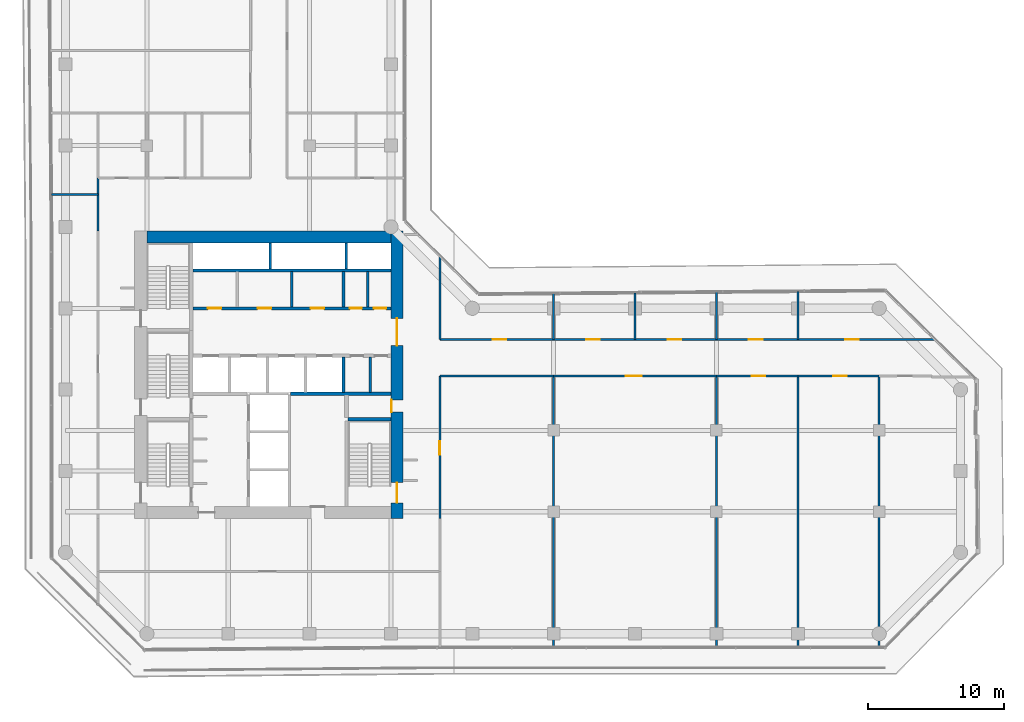
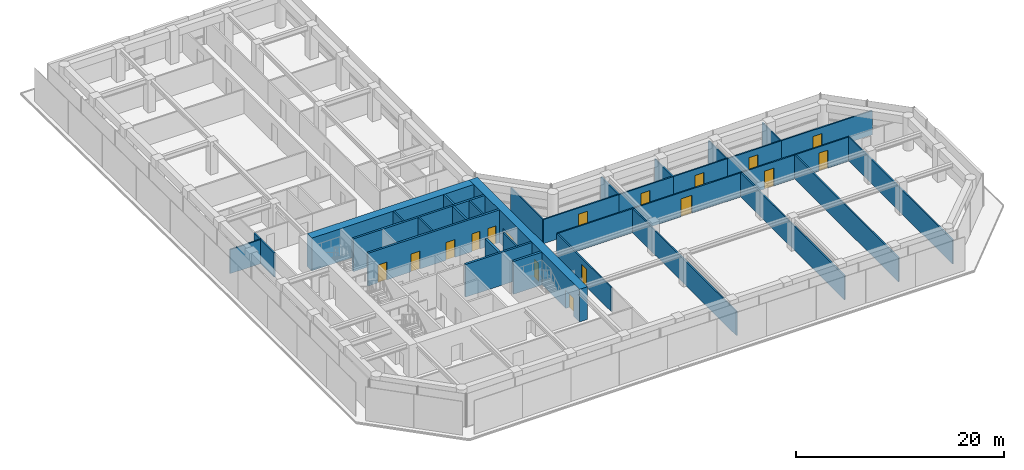
# One storey, part 23 of 28: 34 walls, 17 doors, 17 openings.
"""IFC4 building model written with IfcOpenShell, lengths in metres."""

from ifc_helpers import new_model, si_unit, direction, frame, frame_2d, origin, place, context, subcontext, project, spatial, rectangle, extrude, material, layer, layer_set, type_object, element, fill, save


model = new_model("IFC4")

# Units and contexts
model_context = context("Model", 3, precision=1e-05, world=origin(), true_north=direction((0.0, 1.0)))
body_context = subcontext(model_context, "Body", "Model", "MODEL_VIEW")
ifc_project = project(units=[si_unit("LENGTHUNIT", "METRE"), si_unit("AREAUNIT", "SQUARE_METRE"), si_unit("VOLUMEUNIT", "CUBIC_METRE"), si_unit("PLANEANGLEUNIT", "RADIAN"), si_unit("MASSUNIT", "GRAM", prefix="KILO")], contexts=[model_context])

# Site, building, storey
site_placement = place(None, origin())
site = spatial("IfcSite", under=ifc_project, at=site_placement, CompositionType="ELEMENT")
building_placement = place(site_placement, origin())
building = spatial("IfcBuilding", under=site, at=building_placement, Name="Welwitschia Terrace Campus", CompositionType="ELEMENT")
storey_placement = place(building_placement, frame((0.0, 0.0, 54.199951171875)))
storey = spatial("IfcBuildingStorey", under=building, at=storey_placement, Name="L12", CompositionType="ELEMENT", Elevation=54.199951171875)

# Walls
ifc_material_1 = material(Name="Concrete C32/40", Category="concrete")
ifc_layer_1 = layer(ifc_material_1, 0.175048828125)
ifc_layer_set_1 = layer_set([ifc_layer_1], Name="Concrete C32/40")
wall_type_1 = type_object("IfcWallType", Name="Core partition 175 Concrete C32/40", PredefinedType="PARTITIONING", material=ifc_layer_set_1)
for number, where, z_axis, x_axis, name in (
    (1, (16.675048828125, 20.10009765625, 0.0), (0.0, 0.0, 1.0), (0.0, 1.0, 0.0), "Core partition"),
    (2, (22.300048828125, 20.10009765625, 0.0), (0.0, 0.0, 1.0), (0.0, 1.0, 0.0), "Core partition"),
    (3, (22.469970703125, 13.800048828125, 0.0), (0.0, 0.0, 1.0), (0.0, 1.0, 0.0), "Core partition"),
):
    element("IfcWall", number, at=place(storey_placement, frame(where, z_axis=z_axis, x_axis=x_axis)), inside=storey, type_object=wall_type_1, Name=name, PredefinedType="PARTITIONING", context=body_context, shape_type="SweptSolid", body=[
        extrude(rectangle(XDim=2.599853515625, YDim=0.175048828125, at=frame_2d((1.2998046875, 0.0))), origin(), (0.0, 0.0, 1.0), 3.85009765625),
    ])
ifc_material_2 = material(Name="Concrete C32/40", Category="concrete")
ifc_layer_2 = layer(ifc_material_2, 0.22509765625)
ifc_layer_set_2 = layer_set([ifc_layer_2], Name="Concrete C32/40")
wall_type_2 = type_object("IfcWallType", Name="Core partition 225 Concrete C32/40", PredefinedType="PARTITIONING", material=ifc_layer_set_2)
wall_1_placement = place(storey_placement, frame((16.60009765625, 13.699951171875, 0.0), z_axis=(0.0, 0.0, 1.0), x_axis=(1.0, 0.0, 0.0)))
element("IfcWall", 4, at=wall_1_placement, inside=storey, type_object=wall_type_2, Name="Shaft wall", PredefinedType="PARTITIONING", context=body_context, shape_type="SweptSolid", body=[
    extrude(rectangle(XDim=7.39990234375, YDim=0.22509765625, at=frame_2d((3.699951171875, 0.0))), origin(), (0.0, 0.0, 1.0), 3.85009765625),
])

# Wall, openings, doors
wall_2_placement = place(storey_placement, frame((24.0, 20.0, 0.0), z_axis=(0.0, 0.0, 1.0), x_axis=(-1.0, 0.0, 0.0)))
wall_2 = element("IfcWall", 5, at=wall_2_placement, inside=storey, type_object=wall_type_2, Name="Core partition", PredefinedType="PARTITIONING", context=body_context, shape_type="SweptSolid", body=[
    extrude(rectangle(XDim=14.60009765625, YDim=0.22509765625, at=frame_2d((7.300048828125, 0.0))), origin(), (0.0, 0.0, 1.0), 3.85009765625),
])
opening_1_placement = place(wall_2_placement, frame((12.5, 0.0, 0.0)))
opening_1 = element("IfcOpeningElement", 6, at=opening_1_placement, cuts=wall_2, Name="Opening DR10", PredefinedType="OPENING", context=body_context, shape_type="SweptSolid", body=[
    extrude(rectangle(XDim=1.0, YDim=2.10009765625, at=frame_2d((0.5, 1.050048828125))), frame((0.0, 0.12255859375, 0.0), z_axis=(0.0, -1.0, 0.0), x_axis=(1.0, 0.0, 0.0)), (0.0, 0.0, 1.0), 0.2451171875),
])
opening_2_placement = place(wall_2_placement, frame((8.824951171875, 0.0, 0.0)))
opening_2 = element("IfcOpeningElement", 7, at=opening_2_placement, cuts=wall_2, Name="Opening DR10", PredefinedType="OPENING", context=body_context, shape_type="SweptSolid", body=[
    extrude(rectangle(XDim=1.0, YDim=2.10009765625, at=frame_2d((0.5, 1.050048828125))), frame((0.0, 0.12255859375, 0.0), z_axis=(0.0, -1.0, 0.0), x_axis=(1.0, 0.0, 0.0)), (0.0, 0.0, 1.0), 0.2451171875),
])
opening_3_placement = place(wall_2_placement, frame((4.925048828125, 0.0, 0.0)))
opening_3 = element("IfcOpeningElement", 8, at=opening_3_placement, cuts=wall_2, Name="Opening DR10", PredefinedType="OPENING", context=body_context, shape_type="SweptSolid", body=[
    extrude(rectangle(XDim=1.0, YDim=2.10009765625, at=frame_2d((0.5, 1.050048828125))), frame((0.0, 0.12255859375, 0.0), z_axis=(0.0, -1.0, 0.0), x_axis=(1.0, 0.0, 0.0)), (0.0, 0.0, 1.0), 0.2451171875),
])
opening_4_placement = place(wall_2_placement, frame((2.137451171875, 0.0, 0.0)))
opening_4 = element("IfcOpeningElement", 9, at=opening_4_placement, cuts=wall_2, Name="Opening DR09", PredefinedType="OPENING", context=body_context, shape_type="SweptSolid", body=[
    extrude(rectangle(XDim=0.89990234375, YDim=2.10009765625, at=frame_2d((0.449951171875, 1.050048828125))), frame((0.0, 0.12255859375, 0.0), z_axis=(0.0, -1.0, 0.0), x_axis=(1.0, 0.0, 0.0)), (0.0, 0.0, 1.0), 0.2451171875),
])
opening_5_placement = place(wall_2_placement, frame((0.362548828125, 0.0, 0.0)))
opening_5 = element("IfcOpeningElement", 10, at=opening_5_placement, cuts=wall_2, Name="Opening DR09", PredefinedType="OPENING", context=body_context, shape_type="SweptSolid", body=[
    extrude(rectangle(XDim=0.89990234375, YDim=2.10009765625, at=frame_2d((0.449951171875, 1.050048828125))), frame((0.0, 0.12255859375, 0.0), z_axis=(0.0, -1.0, 0.0), x_axis=(1.0, 0.0, 0.0)), (0.0, 0.0, 1.0), 0.2451171875),
])
ifc_material_3 = material(Name="Steel S275", Category="steel")
door_type_1 = type_object("IfcDoorType", Name="Core door DR09", OperationType="SINGLE_SWING_LEFT", PredefinedType="DOOR", material=ifc_material_3)
door_1_placement = place(opening_4_placement, origin())
door_1 = element("IfcDoor", 11, at=door_1_placement, inside=storey, type_object=door_type_1, Name="Door EH1-D", OperationType="SINGLE_SWING_LEFT", OverallHeight=2.10009765625, OverallWidth=0.89990234375, PredefinedType="DOOR", context=body_context, shape_type="SweptSolid", body=[
    extrude(rectangle(XDim=0.89990234375, YDim=2.10009765625, at=frame_2d((0.449951171875, 1.050048828125))), frame((0.0, 0.02490234375, 0.0), z_axis=(0.0, -1.0, 0.0), x_axis=(1.0, 0.0, 0.0)), (0.0, 0.0, 1.0), 0.050048828125),
])
fill(opening_4, door_1)
door_2_placement = place(opening_5_placement, origin())
door_2 = element("IfcDoor", 12, at=door_2_placement, inside=storey, type_object=door_type_1, Name="Door EH2-D", OperationType="SINGLE_SWING_LEFT", OverallHeight=2.10009765625, OverallWidth=0.89990234375, PredefinedType="DOOR", context=body_context, shape_type="SweptSolid", body=[
    extrude(rectangle(XDim=0.89990234375, YDim=2.10009765625, at=frame_2d((0.449951171875, 1.050048828125))), frame((0.0, 0.02490234375, 0.0), z_axis=(0.0, -1.0, 0.0), x_axis=(1.0, 0.0, 0.0)), (0.0, 0.0, 1.0), 0.050048828125),
])
fill(opening_5, door_2)
ifc_material_4 = material(Name="Steel S275", Category="steel")
door_type_2 = type_object("IfcDoorType", Name="Core door DR10", OperationType="SINGLE_SWING_LEFT", PredefinedType="DOOR", material=ifc_material_4)
door_3_placement = place(opening_1_placement, origin())
door_3 = element("IfcDoor", 13, at=door_3_placement, inside=storey, type_object=door_type_2, Name="Door BAYH1-D", OperationType="SINGLE_SWING_RIGHT", OverallHeight=2.10009765625, OverallWidth=1.0, PredefinedType="DOOR", context=body_context, shape_type="SweptSolid", body=[
    extrude(rectangle(XDim=1.0, YDim=2.10009765625, at=frame_2d((0.5, 1.050048828125))), frame((0.0, 0.02490234375, 0.0), z_axis=(0.0, -1.0, 0.0), x_axis=(1.0, 0.0, 0.0)), (0.0, 0.0, 1.0), 0.050048828125),
])
fill(opening_1, door_3)
door_4_placement = place(opening_2_placement, origin())
door_4 = element("IfcDoor", 14, at=door_4_placement, inside=storey, type_object=door_type_2, Name="Door BAYH2-D", OperationType="SINGLE_SWING_RIGHT", OverallHeight=2.10009765625, OverallWidth=1.0, PredefinedType="DOOR", context=body_context, shape_type="SweptSolid", body=[
    extrude(rectangle(XDim=1.0, YDim=2.10009765625, at=frame_2d((0.5, 1.050048828125))), frame((0.0, 0.02490234375, 0.0), z_axis=(0.0, -1.0, 0.0), x_axis=(1.0, 0.0, 0.0)), (0.0, 0.0, 1.0), 0.050048828125),
])
fill(opening_2, door_4)
door_5_placement = place(opening_3_placement, origin())
door_5 = element("IfcDoor", 15, at=door_5_placement, inside=storey, type_object=door_type_2, Name="Door BAYH3-D", OperationType="SINGLE_SWING_LEFT", OverallHeight=2.10009765625, OverallWidth=1.0, PredefinedType="DOOR", context=body_context, shape_type="SweptSolid", body=[
    extrude(rectangle(XDim=1.0, YDim=2.10009765625, at=frame_2d((0.5, 1.050048828125))), frame((0.0, 0.02490234375, 0.0), z_axis=(0.0, -1.0, 0.0), x_axis=(1.0, 0.0, 0.0)), (0.0, 0.0, 1.0), 0.050048828125),
])
fill(opening_3, door_5)

# Walls
wall_3_placement = place(storey_placement, frame((9.39990234375, 22.800048828125, 0.0), z_axis=(0.0, 0.0, 1.0), x_axis=(1.0, 0.0, 0.0)))
element("IfcWall", 16, at=wall_3_placement, inside=storey, type_object=wall_type_2, Name="Shaft wall", PredefinedType="PARTITIONING", context=body_context, shape_type="SweptSolid", body=[
    extrude(rectangle(XDim=14.60009765625, YDim=0.22509765625, at=frame_2d((7.300048828125, 0.0))), origin(), (0.0, 0.0, 1.0), 3.85009765625),
])
for number, where, z_axis, x_axis, name in (
    (17, (20.5, 13.800048828125, 0.0), (0.0, 0.0, 1.0), (0.0, 1.0, 0.0), "Shaft wall"),
    (18, (20.5, 20.10009765625, 0.0), (0.0, 0.0, 1.0), (0.0, 1.0, 0.0), "Core partition"),
):
    element("IfcWall", number, at=place(storey_placement, frame(where, z_axis=z_axis, x_axis=x_axis)), inside=storey, type_object=wall_type_2, Name=name, PredefinedType="PARTITIONING", context=body_context, shape_type="SweptSolid", body=[
        extrude(rectangle(XDim=2.599853515625, YDim=0.22509765625, at=frame_2d((1.2998046875, 0.0))), origin(), (0.0, 0.0, 1.0), 3.85009765625),
    ])
ifc_material_5 = material(Name="Concrete C50/60", Category="concrete")
ifc_layer_3 = layer(ifc_material_5, 0.199951171875)
ifc_layer_set_3 = layer_set([ifc_layer_3], Name="Concrete C50/60")
wall_type_3 = type_object("IfcWallType", Name="Core wall 200 Concrete C50/60", PredefinedType="SHEAR", material=ifc_layer_set_3)
for number, where, z_axis, x_axis, name in (
    (19, (15.10009765625, 22.89990234375, 0.0), (0.0, 0.0, 1.0), (0.0, 1.0, 0.0), "Core wall"),
    (20, (20.699951171875, 22.89990234375, 0.0), (0.0, 0.0, 1.0), (0.0, 1.0, 0.0), "Core wall"),
):
    element("IfcWall", number, at=place(storey_placement, frame(where, z_axis=z_axis, x_axis=x_axis)), inside=storey, type_object=wall_type_3, Name=name, PredefinedType="SHEAR", context=body_context, shape_type="SweptSolid", body=[
        extrude(rectangle(XDim=1.900146484375, YDim=0.199951171875, at=frame_2d((0.9501953125, 0.0))), origin(), (0.0, 0.0, 1.0), 3.85009765625),
    ])
ifc_material_6 = material(Name="Concrete C50/60", Category="concrete")
ifc_layer_4 = layer(ifc_material_6, 0.25)
ifc_layer_set_4 = layer_set([ifc_layer_4], Name="Concrete C50/60")
wall_type_4 = type_object("IfcWallType", Name="Core wall 250 Concrete C50/60", PredefinedType="SHEAR", material=ifc_layer_set_4)
wall_4_placement = place(storey_placement, frame((20.85009765625, 11.824951171875, 0.0), z_axis=(0.0, 0.0, 1.0), x_axis=(1.0, 0.0, 0.0)))
element("IfcWall", 21, at=wall_4_placement, inside=storey, type_object=wall_type_4, Name="Core wall", PredefinedType="SHEAR", context=body_context, shape_type="SweptSolid", body=[
    extrude(rectangle(XDim=3.14990234375, YDim=0.25, at=frame_2d((1.574951171875, 0.0))), origin(), (0.0, 0.0, 1.0), 3.85009765625),
])

# Wall, openings, doors
ifc_material_7 = material(Name="Concrete C70/85", Category="concrete")
ifc_layer_5 = layer(ifc_material_7, 0.89990234375)
ifc_layer_set_5 = layer_set([ifc_layer_5], Name="Concrete C70/85")
wall_type_5 = type_object("IfcWallType", Name="Core wall 900 Concrete C70/85", PredefinedType="SHEAR", material=ifc_layer_set_5)
wall_5_placement = place(storey_placement, frame((24.449951171875, 25.699951171875, 0.0), z_axis=(0.0, 0.0, 1.0), x_axis=(0.0, -1.0, 0.0)))
wall_5 = element("IfcWall", 22, at=wall_5_placement, inside=storey, type_object=wall_type_5, Name="Core outer wall", PredefinedType="SHEAR", context=body_context, shape_type="SweptSolid", body=[
    extrude(rectangle(XDim=21.199951171875, YDim=0.89990234375, at=frame_2d((10.60009765625, 0.0))), origin(), (0.0, 0.0, 1.0), 3.85009765625),
])
opening_6_placement = place(wall_5_placement, frame((18.550048828125, 0.0, 0.0)))
opening_6 = element("IfcOpeningElement", 23, at=opening_6_placement, cuts=wall_5, Name="Opening DS15", PredefinedType="OPENING", context=body_context, shape_type="SweptSolid", body=[
    extrude(rectangle(XDim=1.5, YDim=2.10009765625, at=frame_2d((0.75, 1.050048828125))), frame((0.0, 0.4599609375, 0.0), z_axis=(0.0, -1.0, 0.0), x_axis=(1.0, 0.0, 0.0)), (0.0, 0.0, 1.0), 0.919921875),
])
opening_7_placement = place(wall_5_placement, frame((12.449951171875, 0.0, 0.0)))
opening_7 = element("IfcOpeningElement", 24, at=opening_7_placement, cuts=wall_5, Name="Opening DR09", PredefinedType="OPENING", context=body_context, shape_type="SweptSolid", body=[
    extrude(rectangle(XDim=0.89990234375, YDim=2.10009765625, at=frame_2d((0.449951171875, 1.050048828125))), frame((0.0, 0.4599609375, 0.0), z_axis=(0.0, -1.0, 0.0), x_axis=(1.0, 0.0, 0.0)), (0.0, 0.0, 1.0), 0.919921875),
])
opening_8_placement = place(wall_5_placement, frame((6.449951171875, 0.0, 0.0)))
opening_8 = element("IfcOpeningElement", 25, at=opening_8_placement, cuts=wall_5, Name="Opening DL20", PredefinedType="OPENING", context=body_context, shape_type="SweptSolid", body=[
    extrude(rectangle(XDim=2.0, YDim=2.10009765625, at=frame_2d((1.0, 1.050048828125))), frame((0.0, 0.4599609375, 0.0), z_axis=(0.0, -1.0, 0.0), x_axis=(1.0, 0.0, 0.0)), (0.0, 0.0, 1.0), 0.919921875),
])
ifc_material_8 = material(Name="Steel S275", Category="steel")
door_type_3 = type_object("IfcDoorType", Name="Core door DL20", OperationType="DOUBLE_DOOR_SINGLE_SWING", PredefinedType="DOOR", material=ifc_material_8)
door_6_placement = place(opening_8_placement, origin())
door_6 = element("IfcDoor", 26, at=door_6_placement, inside=storey, type_object=door_type_3, Name="Door LOBBY-out", OperationType="DOUBLE_DOOR_SINGLE_SWING", OverallHeight=2.10009765625, OverallWidth=2.0, PredefinedType="DOOR", context=body_context, shape_type="SweptSolid", body=[
    extrude(rectangle(XDim=2.0, YDim=2.10009765625, at=frame_2d((1.0, 1.050048828125))), frame((0.0, 0.02490234375, 0.0), z_axis=(0.0, -1.0, 0.0), x_axis=(1.0, 0.0, 0.0)), (0.0, 0.0, 1.0), 0.050048828125),
])
fill(opening_8, door_6)
door_7_placement = place(opening_7_placement, origin())
door_7 = element("IfcDoor", 27, at=door_7_placement, inside=storey, type_object=door_type_1, Name="Door F1B-out", OperationType="SINGLE_SWING_RIGHT", OverallHeight=2.10009765625, OverallWidth=0.89990234375, PredefinedType="DOOR", context=body_context, shape_type="SweptSolid", body=[
    extrude(rectangle(XDim=0.89990234375, YDim=2.10009765625, at=frame_2d((0.449951171875, 1.050048828125))), frame((0.0, -0.39013671875, 0.0), z_axis=(0.0, -1.0, 0.0), x_axis=(1.0, 0.0, 0.0)), (0.0, 0.0, 1.0), 0.050048828125),
])
fill(opening_7, door_7)
ifc_material_9 = material(Name="Steel S275", Category="steel")
door_type_4 = type_object("IfcDoorType", Name="Core door DS15", OperationType="DOUBLE_DOOR_SINGLE_SWING", PredefinedType="DOOR", material=ifc_material_9)
door_8_placement = place(opening_6_placement, origin())
door_8 = element("IfcDoor", 28, at=door_8_placement, inside=storey, type_object=door_type_4, Name="Door S2-out", OperationType="DOUBLE_DOOR_SINGLE_SWING", OverallHeight=2.10009765625, OverallWidth=1.5, PredefinedType="DOOR", context=body_context, shape_type="SweptSolid", body=[
    extrude(rectangle(XDim=1.5, YDim=2.10009765625, at=frame_2d((0.75, 1.050048828125))), frame((0.0, 0.02490234375, 0.0), z_axis=(0.0, -1.0, 0.0), x_axis=(1.0, 0.0, 0.0)), (0.0, 0.0, 1.0), 0.050048828125),
])
fill(opening_6, door_8)

# Walls
wall_6_placement = place(storey_placement, frame((6.0, 25.25, 0.0), z_axis=(0.0, 0.0, 1.0), x_axis=(1.0, 0.0, 0.0)))
element("IfcWall", 29, at=wall_6_placement, inside=storey, type_object=wall_type_5, Name="Core outer wall", PredefinedType="SHEAR", context=body_context, shape_type="SweptSolid", body=[
    extrude(rectangle(XDim=18.0, YDim=0.89990234375, at=frame_2d((9.0, 0.0))), origin(), (0.0, 0.0, 1.0), 3.85009765625),
])
ifc_material_10 = material(Name="Gypsum board on steel studs", Category="steel")
ifc_layer_6 = layer(ifc_material_10, 0.14990234375)
ifc_layer_set_6 = layer_set([ifc_layer_6], Name="Gypsum board on steel studs")
wall_type_6 = type_object("IfcWallType", Name="Corridor partition 150 EI 30", PredefinedType="PARTITIONING", material=ifc_layer_set_6)
wall_7_placement = place(storey_placement, frame((-1.0400390625, 28.39990234375, 0.0), z_axis=(0.0, 0.0, 1.0), x_axis=(1.0, 0.0, 0.0)))
element("IfcWall", 30, at=wall_7_placement, inside=storey, type_object=wall_type_6, Name="Partition", PredefinedType="PARTITIONING", context=body_context, shape_type="SweptSolid", body=[
    extrude(rectangle(XDim=3.43994140625, YDim=0.14990234375, at=frame_2d((1.719970703125, 0.0))), origin(), (0.0, 0.0, 1.0), 2.830078125),
])
wall_8_placement = place(storey_placement, frame((2.39990234375, 25.699951171875, 0.0), z_axis=(0.0, 0.0, 1.0), x_axis=(0.0, 1.0, 0.0)))
element("IfcWall", 31, at=wall_8_placement, inside=storey, type_object=wall_type_6, Name="Partition", PredefinedType="PARTITIONING", context=body_context, shape_type="SweptSolid", body=[
    extrude(rectangle(XDim=3.900146484375, YDim=0.14990234375, at=frame_2d((1.9501953125, 0.0))), origin(), (0.0, 0.0, 1.0), 2.830078125),
])

# Wall, opening, door
wall_9_placement = place(storey_placement, frame((27.60009765625, 15.0, 0.0), z_axis=(0.0, 0.0, 1.0), x_axis=(0.0, -1.0, 0.0)))
wall_9 = element("IfcWall", 32, at=wall_9_placement, inside=storey, type_object=wall_type_6, Name="Partition", PredefinedType="PARTITIONING", context=body_context, shape_type="SweptSolid", body=[
    extrude(rectangle(XDim=10.5, YDim=0.14990234375, at=frame_2d((5.25, 0.0))), origin(), (0.0, 0.0, 1.0), 2.830078125),
])
opening_9_placement = place(wall_9_placement, frame((4.800048828125, 0.0, 0.0)))
opening_9 = element("IfcOpeningElement", 33, at=opening_9_placement, cuts=wall_9, Name="Opening DI10", PredefinedType="OPENING", context=body_context, shape_type="SweptSolid", body=[
    extrude(rectangle(XDim=1.0, YDim=2.10009765625, at=frame_2d((0.5, 1.050048828125))), frame((0.0, 0.0849609375, 0.0), z_axis=(0.0, -1.0, 0.0), x_axis=(1.0, 0.0, 0.0)), (0.0, 0.0, 1.0), 0.169921875),
])
ifc_material_11 = material(Name="Timber veneered door", Category="wood")
door_type_5 = type_object("IfcDoorType", Name="Interior door DI10", OperationType="NOTDEFINED", PredefinedType="DOOR", material=ifc_material_11)
door_9_placement = place(opening_9_placement, origin())
door_9 = element("IfcDoor", 34, at=door_9_placement, inside=storey, type_object=door_type_5, Name="Door L12 280", OperationType="SINGLE_SWING_LEFT", OverallHeight=2.10009765625, OverallWidth=1.0, PredefinedType="DOOR", context=body_context, shape_type="SweptSolid", body=[
    extrude(rectangle(XDim=1.0, YDim=2.10009765625, at=frame_2d((0.5, 1.050048828125))), frame((0.0, 0.02490234375, 0.0), z_axis=(0.0, -1.0, 0.0), x_axis=(1.0, 0.0, 0.0)), (0.0, 0.0, 1.0), 0.050048828125),
])
fill(opening_9, door_9)

# Walls
wall_10_placement = place(storey_placement, frame((27.60009765625, 15.0, 0.0), z_axis=(0.0, 0.0, 1.0), x_axis=(1.0, 0.0, 0.0)))
element("IfcWall", 35, at=wall_10_placement, inside=storey, type_object=wall_type_6, Name="Partition", PredefinedType="PARTITIONING", context=body_context, shape_type="SweptSolid", body=[
    extrude(rectangle(XDim=8.39990234375, YDim=0.14990234375, at=frame_2d((4.199951171875, 0.0))), origin(), (0.0, 0.0, 1.0), 2.830078125),
])
wall_11_placement = place(storey_placement, frame((27.60009765625, 17.699951171875, 0.0), z_axis=(0.0, 0.0, 1.0), x_axis=(0.0, 1.0, 0.0)))
element("IfcWall", 36, at=wall_11_placement, inside=storey, type_object=wall_type_6, Name="Partition", PredefinedType="PARTITIONING", context=body_context, shape_type="SweptSolid", body=[
    extrude(rectangle(XDim=6.150146484375, YDim=0.14990234375, at=frame_2d((3.0751953125, 0.0))), origin(), (0.0, 0.0, 1.0), 2.830078125),
])

# Wall, opening, door
wall_12_placement = place(storey_placement, frame((27.60009765625, 17.699951171875, 0.0), z_axis=(0.0, 0.0, 1.0), x_axis=(1.0, 0.0, 0.0)))
wall_12 = element("IfcWall", 37, at=wall_12_placement, inside=storey, type_object=wall_type_6, Name="Partition", PredefinedType="PARTITIONING", context=body_context, shape_type="SweptSolid", body=[
    extrude(rectangle(XDim=8.39990234375, YDim=0.14990234375, at=frame_2d((4.199951171875, 0.0))), origin(), (0.0, 0.0, 1.0), 2.830078125),
])
opening_10_placement = place(wall_12_placement, frame((3.89990234375, 0.0, 0.0)))
opening_10 = element("IfcOpeningElement", 38, at=opening_10_placement, cuts=wall_12, Name="Opening DI10", PredefinedType="OPENING", context=body_context, shape_type="SweptSolid", body=[
    extrude(rectangle(XDim=1.0, YDim=2.10009765625, at=frame_2d((0.5, 1.050048828125))), frame((0.0, 0.0849609375, 0.0), z_axis=(0.0, -1.0, 0.0), x_axis=(1.0, 0.0, 0.0)), (0.0, 0.0, 1.0), 0.169921875),
])
door_10_placement = place(opening_10_placement, origin())
door_10 = element("IfcDoor", 39, at=door_10_placement, inside=storey, type_object=door_type_5, Name="Door L12 281", OperationType="SINGLE_SWING_RIGHT", OverallHeight=2.10009765625, OverallWidth=1.0, PredefinedType="DOOR", context=body_context, shape_type="SweptSolid", body=[
    extrude(rectangle(XDim=1.0, YDim=2.10009765625, at=frame_2d((0.5, 1.050048828125))), frame((0.0, 0.02490234375, 0.0), z_axis=(0.0, -1.0, 0.0), x_axis=(1.0, 0.0, 0.0)), (0.0, 0.0, 1.0), 0.050048828125),
])
fill(opening_10, door_10)

# Walls
wall_13_placement = place(storey_placement, frame((36.0, -5.010009765625, 0.0), z_axis=(0.0, 0.0, 1.0), x_axis=(0.0, 1.0, 0.0)))
element("IfcWall", 40, at=wall_13_placement, inside=storey, type_object=wall_type_6, Name="Partition", PredefinedType="PARTITIONING", context=body_context, shape_type="SweptSolid", body=[
    extrude(rectangle(XDim=20.010009765625, YDim=0.14990234375, at=frame_2d((10.0048828125, 0.0))), origin(), (0.0, 0.0, 1.0), 2.830078125),
])
wall_14_placement = place(storey_placement, frame((36.0, 17.699951171875, 0.0), z_axis=(0.0, 0.0, 1.0), x_axis=(0.0, 1.0, 0.0)))
element("IfcWall", 41, at=wall_14_placement, inside=storey, type_object=wall_type_6, Name="Partition", PredefinedType="PARTITIONING", context=body_context, shape_type="SweptSolid", body=[
    extrude(rectangle(XDim=3.380126953125, YDim=0.14990234375, at=frame_2d((1.68994140625, 0.0))), origin(), (0.0, 0.0, 1.0), 2.830078125),
])

# Wall, opening, door
wall_15_placement = place(storey_placement, frame((36.0, 17.699951171875, 0.0), z_axis=(0.0, 0.0, 1.0), x_axis=(1.0, 0.0, 0.0)))
wall_15 = element("IfcWall", 42, at=wall_15_placement, inside=storey, type_object=wall_type_6, Name="Partition", PredefinedType="PARTITIONING", context=body_context, shape_type="SweptSolid", body=[
    extrude(rectangle(XDim=6.0, YDim=0.14990234375, at=frame_2d((3.0, 0.0))), origin(), (0.0, 0.0, 1.0), 2.830078125),
])
opening_11_placement = place(wall_15_placement, frame((2.39990234375, 0.0, 0.0)))
opening_11 = element("IfcOpeningElement", 43, at=opening_11_placement, cuts=wall_15, Name="Opening DI10", PredefinedType="OPENING", context=body_context, shape_type="SweptSolid", body=[
    extrude(rectangle(XDim=1.0, YDim=2.10009765625, at=frame_2d((0.5, 1.050048828125))), frame((0.0, 0.0849609375, 0.0), z_axis=(0.0, -1.0, 0.0), x_axis=(1.0, 0.0, 0.0)), (0.0, 0.0, 1.0), 0.169921875),
])
door_11_placement = place(opening_11_placement, origin())
door_11 = element("IfcDoor", 44, at=door_11_placement, inside=storey, type_object=door_type_5, Name="Door L12 282", OperationType="SINGLE_SWING_LEFT", OverallHeight=2.10009765625, OverallWidth=1.0, PredefinedType="DOOR", context=body_context, shape_type="SweptSolid", body=[
    extrude(rectangle(XDim=1.0, YDim=2.10009765625, at=frame_2d((0.5, 1.050048828125))), frame((0.0, 0.02490234375, 0.0), z_axis=(0.0, -1.0, 0.0), x_axis=(1.0, 0.0, 0.0)), (0.0, 0.0, 1.0), 0.050048828125),
])
fill(opening_11, door_11)

# Wall
wall_16_placement = place(storey_placement, frame((42.0, 17.699951171875, 0.0), z_axis=(0.0, 0.0, 1.0), x_axis=(0.0, 1.0, 0.0)))
element("IfcWall", 45, at=wall_16_placement, inside=storey, type_object=wall_type_6, Name="Partition", PredefinedType="PARTITIONING", context=body_context, shape_type="SweptSolid", body=[
    extrude(rectangle(XDim=3.43994140625, YDim=0.14990234375, at=frame_2d((1.719970703125, 0.0))), origin(), (0.0, 0.0, 1.0), 2.830078125),
])

# Wall, opening, door
wall_17_placement = place(storey_placement, frame((42.0, 17.699951171875, 0.0), z_axis=(0.0, 0.0, 1.0), x_axis=(1.0, 0.0, 0.0)))
wall_17 = element("IfcWall", 46, at=wall_17_placement, inside=storey, type_object=wall_type_6, Name="Partition", PredefinedType="PARTITIONING", context=body_context, shape_type="SweptSolid", body=[
    extrude(rectangle(XDim=6.0, YDim=0.14990234375, at=frame_2d((3.0, 0.0))), origin(), (0.0, 0.0, 1.0), 2.830078125),
])
opening_12_placement = place(wall_17_placement, frame((2.39990234375, 0.0, 0.0)))
opening_12 = element("IfcOpeningElement", 47, at=opening_12_placement, cuts=wall_17, Name="Opening DI10", PredefinedType="OPENING", context=body_context, shape_type="SweptSolid", body=[
    extrude(rectangle(XDim=1.0, YDim=2.10009765625, at=frame_2d((0.5, 1.050048828125))), frame((0.0, 0.0849609375, 0.0), z_axis=(0.0, -1.0, 0.0), x_axis=(1.0, 0.0, 0.0)), (0.0, 0.0, 1.0), 0.169921875),
])
door_12_placement = place(opening_12_placement, origin())
door_12 = element("IfcDoor", 48, at=door_12_placement, inside=storey, type_object=door_type_5, Name="Door L12 283", OperationType="SINGLE_SWING_RIGHT", OverallHeight=2.10009765625, OverallWidth=1.0, PredefinedType="DOOR", context=body_context, shape_type="SweptSolid", body=[
    extrude(rectangle(XDim=1.0, YDim=2.10009765625, at=frame_2d((0.5, 1.050048828125))), frame((0.0, 0.02490234375, 0.0), z_axis=(0.0, -1.0, 0.0), x_axis=(1.0, 0.0, 0.0)), (0.0, 0.0, 1.0), 0.050048828125),
])
fill(opening_12, door_12)

# Wall
wall_18_placement = place(storey_placement, frame((48.0, -5.010009765625, 0.0), z_axis=(0.0, 0.0, 1.0), x_axis=(0.0, 1.0, 0.0)))
element("IfcWall", 49, at=wall_18_placement, inside=storey, type_object=wall_type_6, Name="Partition", PredefinedType="PARTITIONING", context=body_context, shape_type="SweptSolid", body=[
    extrude(rectangle(XDim=20.010009765625, YDim=0.14990234375, at=frame_2d((10.0048828125, 0.0))), origin(), (0.0, 0.0, 1.0), 2.830078125),
])

# Wall, opening, door
wall_19_placement = place(storey_placement, frame((48.0, 15.0, 0.0), z_axis=(0.0, 0.0, 1.0), x_axis=(-1.0, 0.0, 0.0)))
wall_19 = element("IfcWall", 50, at=wall_19_placement, inside=storey, type_object=wall_type_6, Name="Partition", PredefinedType="PARTITIONING", context=body_context, shape_type="SweptSolid", body=[
    extrude(rectangle(XDim=12.0, YDim=0.14990234375, at=frame_2d((6.0, 0.0))), origin(), (0.0, 0.0, 1.0), 2.830078125),
])
opening_13_placement = place(wall_19_placement, frame((5.5, 0.0, 0.0)))
opening_13 = element("IfcOpeningElement", 51, at=opening_13_placement, cuts=wall_19, Name="Opening DI12", PredefinedType="OPENING", context=body_context, shape_type="SweptSolid", body=[
    extrude(rectangle(XDim=1.199951171875, YDim=2.10009765625, at=frame_2d((0.60009765625, 1.050048828125))), frame((0.0, 0.0849609375, 0.0), z_axis=(0.0, -1.0, 0.0), x_axis=(1.0, 0.0, 0.0)), (0.0, 0.0, 1.0), 0.169921875),
])
ifc_material_12 = material(Name="Timber veneered door", Category="wood")
door_type_6 = type_object("IfcDoorType", Name="Interior door DI12", OperationType="NOTDEFINED", PredefinedType="DOOR", material=ifc_material_12)
door_13_placement = place(opening_13_placement, origin())
door_13 = element("IfcDoor", 52, at=door_13_placement, inside=storey, type_object=door_type_6, Name="Door L12 284", OperationType="SINGLE_SWING_LEFT", OverallHeight=2.10009765625, OverallWidth=1.199951171875, PredefinedType="DOOR", context=body_context, shape_type="SweptSolid", body=[
    extrude(rectangle(XDim=1.199951171875, YDim=2.10009765625, at=frame_2d((0.60009765625, 1.050048828125))), frame((0.0, 0.02490234375, 0.0), z_axis=(0.0, -1.0, 0.0), x_axis=(1.0, 0.0, 0.0)), (0.0, 0.0, 1.0), 0.050048828125),
])
fill(opening_13, door_13)

# Wall
wall_20_placement = place(storey_placement, frame((48.0, 17.699951171875, 0.0), z_axis=(0.0, 0.0, 1.0), x_axis=(0.0, 1.0, 0.0)))
element("IfcWall", 53, at=wall_20_placement, inside=storey, type_object=wall_type_6, Name="Partition", PredefinedType="PARTITIONING", context=body_context, shape_type="SweptSolid", body=[
    extrude(rectangle(XDim=3.489990234375, YDim=0.14990234375, at=frame_2d((1.7451171875, 0.0))), origin(), (0.0, 0.0, 1.0), 2.830078125),
])

# Wall, opening, door
wall_21_placement = place(storey_placement, frame((48.0, 17.699951171875, 0.0), z_axis=(0.0, 0.0, 1.0), x_axis=(1.0, 0.0, 0.0)))
wall_21 = element("IfcWall", 54, at=wall_21_placement, inside=storey, type_object=wall_type_6, Name="Partition", PredefinedType="PARTITIONING", context=body_context, shape_type="SweptSolid", body=[
    extrude(rectangle(XDim=6.0, YDim=0.14990234375, at=frame_2d((3.0, 0.0))), origin(), (0.0, 0.0, 1.0), 2.830078125),
])
opening_14_placement = place(wall_21_placement, frame((2.39990234375, 0.0, 0.0)))
opening_14 = element("IfcOpeningElement", 55, at=opening_14_placement, cuts=wall_21, Name="Opening DI10", PredefinedType="OPENING", context=body_context, shape_type="SweptSolid", body=[
    extrude(rectangle(XDim=1.0, YDim=2.10009765625, at=frame_2d((0.5, 1.050048828125))), frame((0.0, 0.0849609375, 0.0), z_axis=(0.0, -1.0, 0.0), x_axis=(1.0, 0.0, 0.0)), (0.0, 0.0, 1.0), 0.169921875),
])
door_14_placement = place(opening_14_placement, origin())
door_14 = element("IfcDoor", 56, at=door_14_placement, inside=storey, type_object=door_type_5, Name="Door L12 285", OperationType="SINGLE_SWING_RIGHT", OverallHeight=2.10009765625, OverallWidth=1.0, PredefinedType="DOOR", context=body_context, shape_type="SweptSolid", body=[
    extrude(rectangle(XDim=1.0, YDim=2.10009765625, at=frame_2d((0.5, 1.050048828125))), frame((0.0, 0.02490234375, 0.0), z_axis=(0.0, -1.0, 0.0), x_axis=(1.0, 0.0, 0.0)), (0.0, 0.0, 1.0), 0.050048828125),
])
fill(opening_14, door_14)

# Wall
wall_22_placement = place(storey_placement, frame((54.0, -5.010009765625, 0.0), z_axis=(0.0, 0.0, 1.0), x_axis=(0.0, 1.0, 0.0)))
element("IfcWall", 57, at=wall_22_placement, inside=storey, type_object=wall_type_6, Name="Partition", PredefinedType="PARTITIONING", context=body_context, shape_type="SweptSolid", body=[
    extrude(rectangle(XDim=20.010009765625, YDim=0.14990234375, at=frame_2d((10.0048828125, 0.0))), origin(), (0.0, 0.0, 1.0), 2.830078125),
])

# Wall, opening, door
wall_23_placement = place(storey_placement, frame((54.0, 15.0, 0.0), z_axis=(0.0, 0.0, 1.0), x_axis=(-1.0, 0.0, 0.0)))
wall_23 = element("IfcWall", 58, at=wall_23_placement, inside=storey, type_object=wall_type_6, Name="Partition", PredefinedType="PARTITIONING", context=body_context, shape_type="SweptSolid", body=[
    extrude(rectangle(XDim=6.0, YDim=0.14990234375, at=frame_2d((3.0, 0.0))), origin(), (0.0, 0.0, 1.0), 2.830078125),
])
opening_15_placement = place(wall_23_placement, frame((2.39990234375, 0.0, 0.0)))
opening_15 = element("IfcOpeningElement", 59, at=opening_15_placement, cuts=wall_23, Name="Opening DI10", PredefinedType="OPENING", context=body_context, shape_type="SweptSolid", body=[
    extrude(rectangle(XDim=1.0, YDim=2.10009765625, at=frame_2d((0.5, 1.050048828125))), frame((0.0, 0.0849609375, 0.0), z_axis=(0.0, -1.0, 0.0), x_axis=(1.0, 0.0, 0.0)), (0.0, 0.0, 1.0), 0.169921875),
])
door_15_placement = place(opening_15_placement, origin())
door_15 = element("IfcDoor", 60, at=door_15_placement, inside=storey, type_object=door_type_5, Name="Door L12 286", OperationType="SINGLE_SWING_LEFT", OverallHeight=2.10009765625, OverallWidth=1.0, PredefinedType="DOOR", context=body_context, shape_type="SweptSolid", body=[
    extrude(rectangle(XDim=1.0, YDim=2.10009765625, at=frame_2d((0.5, 1.050048828125))), frame((0.0, 0.02490234375, 0.0), z_axis=(0.0, -1.0, 0.0), x_axis=(1.0, 0.0, 0.0)), (0.0, 0.0, 1.0), 0.050048828125),
])
fill(opening_15, door_15)

# Wall
wall_24_placement = place(storey_placement, frame((54.0, 17.699951171875, 0.0), z_axis=(0.0, 0.0, 1.0), x_axis=(0.0, 1.0, 0.0)))
element("IfcWall", 61, at=wall_24_placement, inside=storey, type_object=wall_type_6, Name="Partition", PredefinedType="PARTITIONING", context=body_context, shape_type="SweptSolid", body=[
    extrude(rectangle(XDim=3.5400390625, YDim=0.14990234375, at=frame_2d((1.77001953125, 0.0))), origin(), (0.0, 0.0, 1.0), 2.830078125),
])

# Wall, opening, door
wall_25_placement = place(storey_placement, frame((54.0, 17.699951171875, 0.0), z_axis=(0.0, 0.0, 1.0), x_axis=(1.0, 0.0, 0.0)))
wall_25 = element("IfcWall", 62, at=wall_25_placement, inside=storey, type_object=wall_type_6, Name="Partition", PredefinedType="PARTITIONING", context=body_context, shape_type="SweptSolid", body=[
    extrude(rectangle(XDim=10.10009765625, YDim=0.14990234375, at=frame_2d((5.050048828125, 0.0))), origin(), (0.0, 0.0, 1.0), 2.830078125),
])
opening_16_placement = place(wall_25_placement, frame((3.5, 0.0, 0.0)))
opening_16 = element("IfcOpeningElement", 63, at=opening_16_placement, cuts=wall_25, Name="Opening DI10", PredefinedType="OPENING", context=body_context, shape_type="SweptSolid", body=[
    extrude(rectangle(XDim=1.0, YDim=2.10009765625, at=frame_2d((0.5, 1.050048828125))), frame((0.0, 0.0849609375, 0.0), z_axis=(0.0, -1.0, 0.0), x_axis=(1.0, 0.0, 0.0)), (0.0, 0.0, 1.0), 0.169921875),
])
door_16_placement = place(opening_16_placement, origin())
door_16 = element("IfcDoor", 64, at=door_16_placement, inside=storey, type_object=door_type_5, Name="Door L12 287", OperationType="SINGLE_SWING_RIGHT", OverallHeight=2.10009765625, OverallWidth=1.0, PredefinedType="DOOR", context=body_context, shape_type="SweptSolid", body=[
    extrude(rectangle(XDim=1.0, YDim=2.10009765625, at=frame_2d((0.5, 1.050048828125))), frame((0.0, 0.02490234375, 0.0), z_axis=(0.0, -1.0, 0.0), x_axis=(1.0, 0.0, 0.0)), (0.0, 0.0, 1.0), 0.050048828125),
])
fill(opening_16, door_16)

# Wall
wall_26_placement = place(storey_placement, frame((60.0, -5.010009765625, 0.0), z_axis=(0.0, 0.0, 1.0), x_axis=(0.0, 1.0, 0.0)))
element("IfcWall", 65, at=wall_26_placement, inside=storey, type_object=wall_type_6, Name="Partition", PredefinedType="PARTITIONING", context=body_context, shape_type="SweptSolid", body=[
    extrude(rectangle(XDim=20.010009765625, YDim=0.14990234375, at=frame_2d((10.0048828125, 0.0))), origin(), (0.0, 0.0, 1.0), 2.830078125),
])

# Wall, opening, door
wall_27_placement = place(storey_placement, frame((60.0, 15.0, 0.0), z_axis=(0.0, 0.0, 1.0), x_axis=(-1.0, 0.0, 0.0)))
wall_27 = element("IfcWall", 66, at=wall_27_placement, inside=storey, type_object=wall_type_6, Name="Partition", PredefinedType="PARTITIONING", context=body_context, shape_type="SweptSolid", body=[
    extrude(rectangle(XDim=6.0, YDim=0.14990234375, at=frame_2d((3.0, 0.0))), origin(), (0.0, 0.0, 1.0), 2.830078125),
])
opening_17_placement = place(wall_27_placement, frame((2.39990234375, 0.0, 0.0)))
opening_17 = element("IfcOpeningElement", 67, at=opening_17_placement, cuts=wall_27, Name="Opening DI10", PredefinedType="OPENING", context=body_context, shape_type="SweptSolid", body=[
    extrude(rectangle(XDim=1.0, YDim=2.10009765625, at=frame_2d((0.5, 1.050048828125))), frame((0.0, 0.0849609375, 0.0), z_axis=(0.0, -1.0, 0.0), x_axis=(1.0, 0.0, 0.0)), (0.0, 0.0, 1.0), 0.169921875),
])
door_17_placement = place(opening_17_placement, origin())
door_17 = element("IfcDoor", 68, at=door_17_placement, inside=storey, type_object=door_type_5, Name="Door L12 288", OperationType="SINGLE_SWING_LEFT", OverallHeight=2.10009765625, OverallWidth=1.0, PredefinedType="DOOR", context=body_context, shape_type="SweptSolid", body=[
    extrude(rectangle(XDim=1.0, YDim=2.10009765625, at=frame_2d((0.5, 1.050048828125))), frame((0.0, 0.02490234375, 0.0), z_axis=(0.0, -1.0, 0.0), x_axis=(1.0, 0.0, 0.0)), (0.0, 0.0, 1.0), 0.050048828125),
])
fill(opening_17, door_17)

save(model, "model.ifc")
